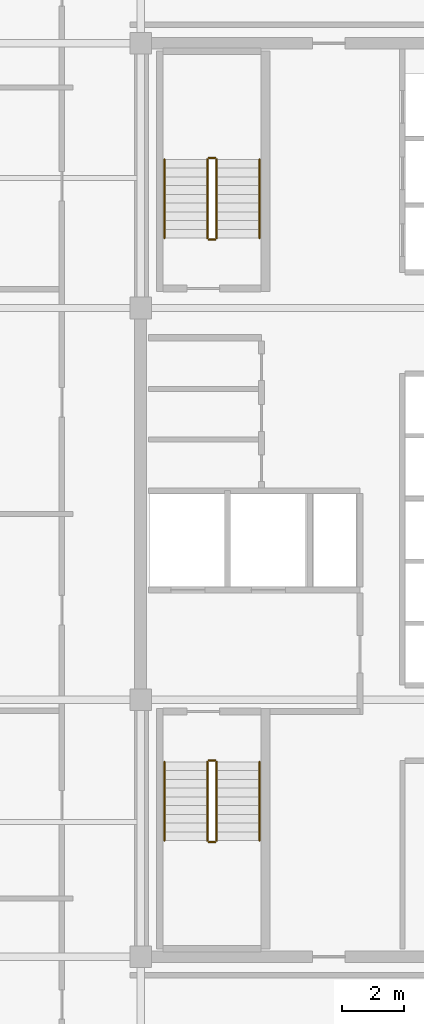
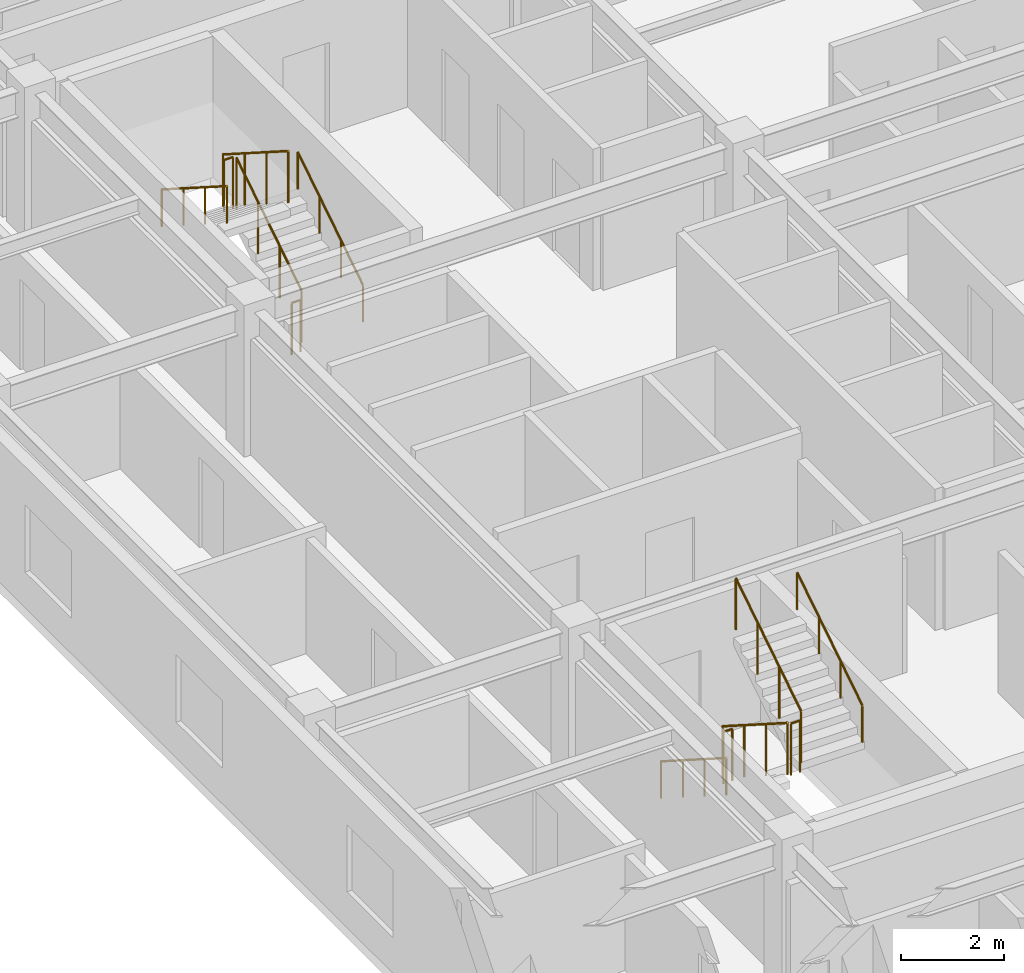
# One storey, part 9 of 9: 12 railings.
"""IFC4 building model written with IfcOpenShell, lengths in metres."""

from ifc_helpers import new_model, si_unit, direction, frame, origin, origin_2d, place, context, subcontext, project, spatial, circle, extrude, material, type_object, element, save


model = new_model("IFC4")

# Units and contexts
model_context = context("Model", 3, precision=1e-05, world=origin(), true_north=direction((0.0, 1.0)))
body_context = subcontext(model_context, "Body", "Model", "MODEL_VIEW")
ifc_project = project(units=[si_unit("LENGTHUNIT", "METRE"), si_unit("AREAUNIT", "SQUARE_METRE"), si_unit("VOLUMEUNIT", "CUBIC_METRE"), si_unit("PLANEANGLEUNIT", "RADIAN"), si_unit("MASSUNIT", "GRAM", prefix="KILO")], contexts=[model_context])

# Site, building, storey
site_placement = place(None, origin())
site = spatial("IfcSite", under=ifc_project, at=site_placement, CompositionType="ELEMENT")
building_placement = place(site_placement, origin())
building = spatial("IfcBuilding", under=site, at=building_placement, Name="Ochreholt Gables", CompositionType="ELEMENT")
storey_placement = place(building_placement, frame((0.0, 0.0, 184.800048828125)))
storey = spatial("IfcBuildingStorey", under=building, at=storey_placement, Name="L48", CompositionType="ELEMENT", Elevation=184.800048828125)

# Railings
ifc_material_1 = material(Name="Painted Steel Stair Guardrail", Category="steel")
railing_type_1 = type_object("IfcRailingType", Name="RL-ST-GUARD", PredefinedType="GUARDRAIL", material=ifc_material_1)
railing_1_placement = place(storey_placement, frame((26.35009765625, 15.5400390625, 0.179931640625)))
element("IfcRailing", 1, at=railing_1_placement, inside=storey, type_object=railing_type_1, Name="L48 ST-1 stair guard 1", PredefinedType="GUARDRAIL", context=body_context, shape_type="SweptSolid", body=[
    extrude(circle(Radius=0.02392578125, at=origin_2d()), frame((0.0, 0.0, 1.22607421875), z_axis=(0.0, -0.842912820907, 0.538050161556), x_axis=(1.0, 0.0, 0.0)), (0.0, 0.0, 1.0), 3.010986328125),
    extrude(circle(Radius=0.02099609375, at=origin_2d()), origin(), (0.0, 0.0, 1.0), 1.201904296875),
    extrude(circle(Radius=0.02099609375, at=origin_2d()), frame((0.0, -0.845947265625, 0.5400390625)), (0.0, 0.0, 1.0), 1.201904296875),
    extrude(circle(Radius=0.02099609375, at=origin_2d()), frame((0.0, -1.692138671875, 1.080078125)), (0.0, 0.0, 1.0), 1.201904296875),
    extrude(circle(Radius=0.02099609375, at=origin_2d()), frame((0.0, -2.5380859375, 1.6201171875)), (0.0, 0.0, 1.0), 1.201904296875),
])
railing_2_placement = place(storey_placement, frame((26.39990234375, 12.951904296875, 1.800048828125)))
element("IfcRailing", 2, at=railing_2_placement, inside=storey, type_object=railing_type_1, Name="L48 ST-1 stair guard 2", PredefinedType="GUARDRAIL", context=body_context, shape_type="SweptSolid", body=[
    extrude(circle(Radius=0.02392578125, at=origin_2d()), frame((0.0, 0.0, 1.22607421875), z_axis=(1.0, 0.0, 0.0), x_axis=(0.0, 1.0, 0.0)), (0.0, 0.0, 1.0), 0.2001953125),
    extrude(circle(Radius=0.02099609375, at=origin_2d()), origin(), (0.0, 0.0, 1.0), 1.201904296875),
    extrude(circle(Radius=0.02099609375, at=origin_2d()), frame((0.2001953125, 0.0, 0.0)), (0.0, 0.0, 1.0), 1.201904296875),
])
railing_3_placement = place(storey_placement, frame((26.64990234375, 13.001953125, 1.97998046875)))
element("IfcRailing", 3, at=railing_3_placement, inside=storey, type_object=railing_type_1, Name="L48 ST-1 stair guard 3", PredefinedType="GUARDRAIL", context=body_context, shape_type="SweptSolid", body=[
    extrude(circle(Radius=0.02392578125, at=origin_2d()), frame((0.0, 0.0, 1.22607421875), z_axis=(0.0, 0.842949592929, 0.537992549931), x_axis=(-1.0, 0.0, 0.0)), (0.0, 0.0, 1.0), 3.010986328125),
    extrude(circle(Radius=0.02099609375, at=origin_2d()), origin(), (0.0, 0.0, 1.0), 1.201904296875),
    extrude(circle(Radius=0.02099609375, at=origin_2d()), frame((0.0, 0.845947265625, 0.5400390625)), (0.0, 0.0, 1.0), 1.201904296875),
    extrude(circle(Radius=0.02099609375, at=origin_2d()), frame((0.0, 1.692138671875, 1.079833984375)), (0.0, 0.0, 1.0), 1.201904296875),
    extrude(circle(Radius=0.02099609375, at=origin_2d()), frame((0.0, 2.5380859375, 1.619873046875)), (0.0, 0.0, 1.0), 1.201904296875),
])
railing_4_placement = place(storey_placement, frame((26.39990234375, 15.590087890625, 0.0)))
element("IfcRailing", 4, at=railing_4_placement, inside=storey, type_object=railing_type_1, Name="L48 ST-1 stair guard 4", PredefinedType="GUARDRAIL", context=body_context, shape_type="SweptSolid", body=[
    extrude(circle(Radius=0.02392578125, at=origin_2d()), frame((0.0, 0.0, 1.22607421875), z_axis=(1.0, 0.0, 0.0), x_axis=(0.0, 1.0, 0.0)), (0.0, 0.0, 1.0), 0.2001953125),
    extrude(circle(Radius=0.02099609375, at=origin_2d()), origin(), (0.0, 0.0, 1.0), 1.201904296875),
    extrude(circle(Radius=0.02099609375, at=origin_2d()), frame((0.2001953125, 0.0, 0.0)), (0.0, 0.0, 1.0), 1.201904296875),
])
railing_5_placement = place(storey_placement, frame((26.64990234375, 32.4599609375, 0.179931640625)))
element("IfcRailing", 5, at=railing_5_placement, inside=storey, type_object=railing_type_1, Name="L48 ST-2 stair guard 1", PredefinedType="GUARDRAIL", context=body_context, shape_type="SweptSolid", body=[
    extrude(circle(Radius=0.02392578125, at=origin_2d()), frame((0.0, 0.0, 1.22607421875), z_axis=(0.0, 0.842912820907, 0.538050161556), x_axis=(-1.0, 0.0, 0.0)), (0.0, 0.0, 1.0), 3.010986328125),
    extrude(circle(Radius=0.02099609375, at=origin_2d()), origin(), (0.0, 0.0, 1.0), 1.201904296875),
    extrude(circle(Radius=0.02099609375, at=origin_2d()), frame((0.0, 0.845947265625, 0.5400390625)), (0.0, 0.0, 1.0), 1.201904296875),
    extrude(circle(Radius=0.02099609375, at=origin_2d()), frame((0.0, 1.692138671875, 1.080078125)), (0.0, 0.0, 1.0), 1.201904296875),
    extrude(circle(Radius=0.02099609375, at=origin_2d()), frame((0.0, 2.5380859375, 1.6201171875)), (0.0, 0.0, 1.0), 1.201904296875),
])
railing_6_placement = place(storey_placement, frame((26.60009765625, 35.048095703125, 1.800048828125)))
element("IfcRailing", 6, at=railing_6_placement, inside=storey, type_object=railing_type_1, Name="L48 ST-2 stair guard 2", PredefinedType="GUARDRAIL", context=body_context, shape_type="SweptSolid", body=[
    extrude(circle(Radius=0.02392578125, at=origin_2d()), frame((0.0, 0.0, 1.22607421875), z_axis=(-1.0, 0.0, 0.0), x_axis=(0.0, -1.0, 0.0)), (0.0, 0.0, 1.0), 0.2001953125),
    extrude(circle(Radius=0.02099609375, at=origin_2d()), origin(), (0.0, 0.0, 1.0), 1.201904296875),
    extrude(circle(Radius=0.02099609375, at=origin_2d()), frame((-0.2001953125, 0.0, 0.0)), (0.0, 0.0, 1.0), 1.201904296875),
])
railing_7_placement = place(storey_placement, frame((26.35009765625, 34.998046875, 1.97998046875)))
element("IfcRailing", 7, at=railing_7_placement, inside=storey, type_object=railing_type_1, Name="L48 ST-2 stair guard 3", PredefinedType="GUARDRAIL", context=body_context, shape_type="SweptSolid", body=[
    extrude(circle(Radius=0.02392578125, at=origin_2d()), frame((0.0, 0.0, 1.22607421875), z_axis=(0.0, -0.842949592929, 0.537992549931), x_axis=(1.0, 0.0, 0.0)), (0.0, 0.0, 1.0), 3.010986328125),
    extrude(circle(Radius=0.02099609375, at=origin_2d()), origin(), (0.0, 0.0, 1.0), 1.201904296875),
    extrude(circle(Radius=0.02099609375, at=origin_2d()), frame((0.0, -0.845947265625, 0.5400390625)), (0.0, 0.0, 1.0), 1.201904296875),
    extrude(circle(Radius=0.02099609375, at=origin_2d()), frame((0.0, -1.692138671875, 1.079833984375)), (0.0, 0.0, 1.0), 1.201904296875),
    extrude(circle(Radius=0.02099609375, at=origin_2d()), frame((0.0, -2.5380859375, 1.619873046875)), (0.0, 0.0, 1.0), 1.201904296875),
])
railing_8_placement = place(storey_placement, frame((26.60009765625, 32.409912109375, 0.0)))
element("IfcRailing", 8, at=railing_8_placement, inside=storey, type_object=railing_type_1, Name="L48 ST-2 stair guard 4", PredefinedType="GUARDRAIL", context=body_context, shape_type="SweptSolid", body=[
    extrude(circle(Radius=0.02392578125, at=origin_2d()), frame((0.0, 0.0, 1.22607421875), z_axis=(-1.0, 0.0, 0.0), x_axis=(0.0, -1.0, 0.0)), (0.0, 0.0, 1.0), 0.2001953125),
    extrude(circle(Radius=0.02099609375, at=origin_2d()), origin(), (0.0, 0.0, 1.0), 1.201904296875),
    extrude(circle(Radius=0.02099609375, at=origin_2d()), frame((-0.2001953125, 0.0, 0.0)), (0.0, 0.0, 1.0), 1.201904296875),
])
ifc_material_2 = material(Name="Brushed Stainless Steel Wall Handrail", Category="steel")
railing_type_2 = type_object("IfcRailingType", Name="RL-ST-HAND", PredefinedType="HANDRAIL", material=ifc_material_2)
railing_9_placement = place(storey_placement, frame((24.969970703125, 15.5400390625, 0.179931640625)))
element("IfcRailing", 9, at=railing_9_placement, inside=storey, type_object=railing_type_2, Name="L48 ST-1 stair handrail 1", PredefinedType="HANDRAIL", context=body_context, shape_type="SweptSolid", body=[
    extrude(circle(Radius=0.02392578125, at=origin_2d()), frame((0.0, 0.0, 0.8759765625), z_axis=(0.0, -0.842912820907, 0.538050161556), x_axis=(1.0, 0.0, 0.0)), (0.0, 0.0, 1.0), 3.010986328125),
    extrude(circle(Radius=0.02099609375, at=origin_2d()), origin(), (0.0, 0.0, 1.0), 0.851806640625),
    extrude(circle(Radius=0.02099609375, at=origin_2d()), frame((0.0, -0.845947265625, 0.5400390625)), (0.0, 0.0, 1.0), 0.851806640625),
    extrude(circle(Radius=0.02099609375, at=origin_2d()), frame((0.0, -1.692138671875, 1.080078125)), (0.0, 0.0, 1.0), 0.851806640625),
    extrude(circle(Radius=0.02099609375, at=origin_2d()), frame((0.0, -2.5380859375, 1.6201171875)), (0.0, 0.0, 1.0), 0.851806640625),
])
railing_10_placement = place(storey_placement, frame((28.030029296875, 13.001953125, 1.97998046875)))
element("IfcRailing", 10, at=railing_10_placement, inside=storey, type_object=railing_type_2, Name="L48 ST-1 stair handrail 2", PredefinedType="HANDRAIL", context=body_context, shape_type="SweptSolid", body=[
    extrude(circle(Radius=0.02392578125, at=origin_2d()), frame((0.0, 0.0, 0.8759765625), z_axis=(0.0, 0.842949592929, 0.537992549931), x_axis=(-1.0, 0.0, 0.0)), (0.0, 0.0, 1.0), 3.010986328125),
    extrude(circle(Radius=0.02099609375, at=origin_2d()), origin(), (0.0, 0.0, 1.0), 0.851806640625),
    extrude(circle(Radius=0.02099609375, at=origin_2d()), frame((0.0, 0.845947265625, 0.5400390625)), (0.0, 0.0, 1.0), 0.851806640625),
    extrude(circle(Radius=0.02099609375, at=origin_2d()), frame((0.0, 1.692138671875, 1.079833984375)), (0.0, 0.0, 1.0), 0.851806640625),
    extrude(circle(Radius=0.02099609375, at=origin_2d()), frame((0.0, 2.5380859375, 1.619873046875)), (0.0, 0.0, 1.0), 0.851806640625),
])
railing_11_placement = place(storey_placement, frame((28.030029296875, 32.4599609375, 0.179931640625)))
element("IfcRailing", 11, at=railing_11_placement, inside=storey, type_object=railing_type_2, Name="L48 ST-2 stair handrail 1", PredefinedType="HANDRAIL", context=body_context, shape_type="SweptSolid", body=[
    extrude(circle(Radius=0.02392578125, at=origin_2d()), frame((0.0, 0.0, 0.8759765625), z_axis=(0.0, 0.842912820907, 0.538050161556), x_axis=(-1.0, 0.0, 0.0)), (0.0, 0.0, 1.0), 3.010986328125),
    extrude(circle(Radius=0.02099609375, at=origin_2d()), origin(), (0.0, 0.0, 1.0), 0.851806640625),
    extrude(circle(Radius=0.02099609375, at=origin_2d()), frame((0.0, 0.845947265625, 0.5400390625)), (0.0, 0.0, 1.0), 0.851806640625),
    extrude(circle(Radius=0.02099609375, at=origin_2d()), frame((0.0, 1.692138671875, 1.080078125)), (0.0, 0.0, 1.0), 0.851806640625),
    extrude(circle(Radius=0.02099609375, at=origin_2d()), frame((0.0, 2.5380859375, 1.6201171875)), (0.0, 0.0, 1.0), 0.851806640625),
])
railing_12_placement = place(storey_placement, frame((24.969970703125, 34.998046875, 1.97998046875)))
element("IfcRailing", 12, at=railing_12_placement, inside=storey, type_object=railing_type_2, Name="L48 ST-2 stair handrail 2", PredefinedType="HANDRAIL", context=body_context, shape_type="SweptSolid", body=[
    extrude(circle(Radius=0.02392578125, at=origin_2d()), frame((0.0, 0.0, 0.8759765625), z_axis=(0.0, -0.842949592929, 0.537992549931), x_axis=(1.0, 0.0, 0.0)), (0.0, 0.0, 1.0), 3.010986328125),
    extrude(circle(Radius=0.02099609375, at=origin_2d()), origin(), (0.0, 0.0, 1.0), 0.851806640625),
    extrude(circle(Radius=0.02099609375, at=origin_2d()), frame((0.0, -0.845947265625, 0.5400390625)), (0.0, 0.0, 1.0), 0.851806640625),
    extrude(circle(Radius=0.02099609375, at=origin_2d()), frame((0.0, -1.692138671875, 1.079833984375)), (0.0, 0.0, 1.0), 0.851806640625),
    extrude(circle(Radius=0.02099609375, at=origin_2d()), frame((0.0, -2.5380859375, 1.619873046875)), (0.0, 0.0, 1.0), 0.851806640625),
])

save(model, "model.ifc")
